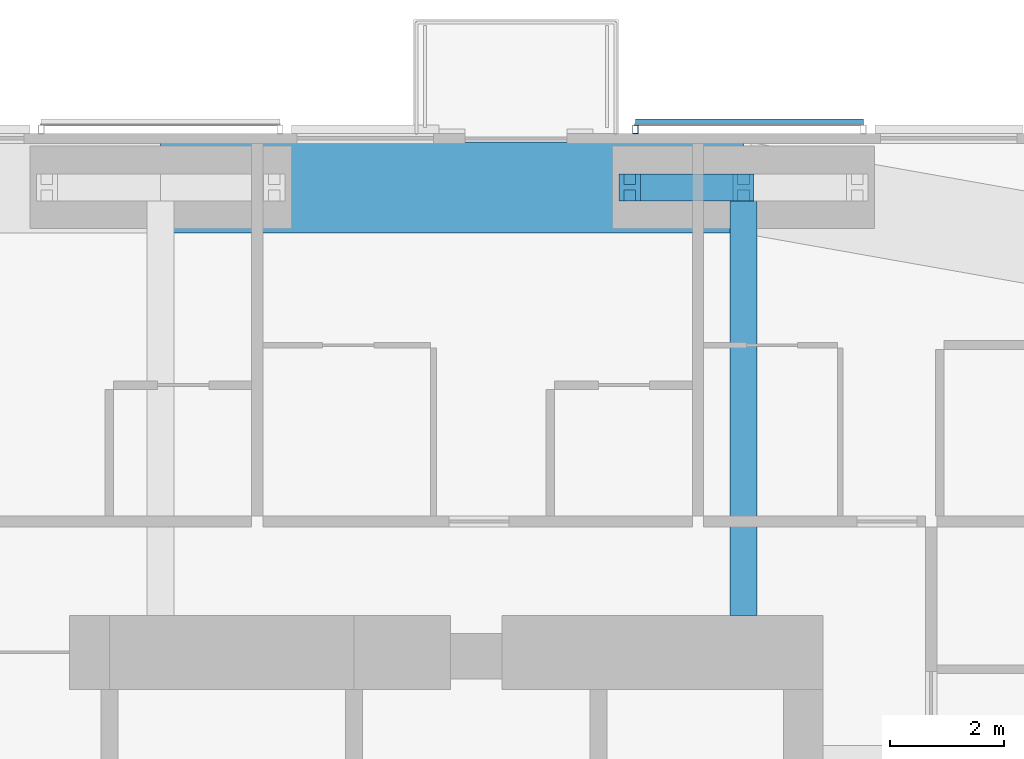
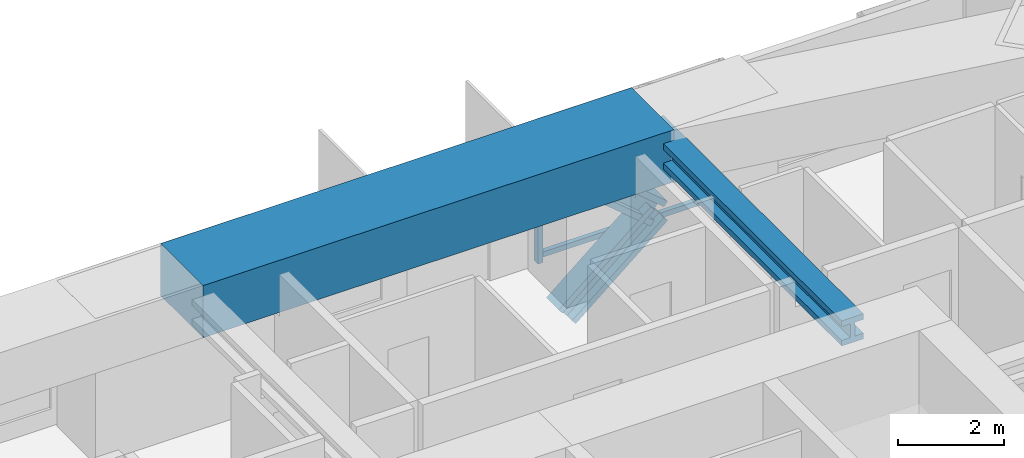
# One storey, part 12 of 23: 4 members, 2 beams, 1 element without a shape of its own.
"""IFC4 building model written with IfcOpenShell, lengths in metres."""

from ifc_helpers import new_model, si_unit, direction, frame, origin, origin_2d, place, context, subcontext, project, spatial, rectangle, hollow_rectangle, i_section, extrude, material, material_profile, profile_set, type_object, element, aggregate, save


model = new_model("IFC4")

# Units and contexts
model_context = context("Model", 3, precision=1e-05, world=origin(), true_north=direction((0.0, 1.0)))
body_context = subcontext(model_context, "Body", "Model", "MODEL_VIEW")
ifc_project = project(units=[si_unit("LENGTHUNIT", "METRE"), si_unit("AREAUNIT", "SQUARE_METRE"), si_unit("VOLUMEUNIT", "CUBIC_METRE"), si_unit("PLANEANGLEUNIT", "RADIAN"), si_unit("MASSUNIT", "GRAM", prefix="KILO")], contexts=[model_context])

# Site, building, storey
site_placement = place(None, origin())
site = spatial("IfcSite", under=ifc_project, at=site_placement, CompositionType="ELEMENT")
building_placement = place(site_placement, origin())
building = spatial("IfcBuilding", under=site, at=building_placement, Name="Jalousie Tower", CompositionType="ELEMENT")
storey_placement = place(building_placement, frame((0.0, 0.0, 157.699951171875)))
storey = spatial("IfcBuildingStorey", under=building, at=storey_placement, Name="L42", CompositionType="ELEMENT", Elevation=157.699951171875)

# Beam
ifc_material_1 = material(Name="Steel ASTM A992 Grade 50", Category="steel")
ifc_material_profile_1 = material_profile(ifc_material_1, i_section(OverallWidth=0.472412109375, OverallDepth=0.5791015625, WebThickness=0.094970703125, FlangeThickness=0.1298828125, at=origin_2d()), Name="W14X808")
ifc_profile_set_1 = profile_set([ifc_material_profile_1], Name="Steel ASTM A992 Grade 50")
beam_type_1 = type_object("IfcBeamType", Name="LEAN COLLECTOR W14X808", PredefinedType="BEAM", material=ifc_profile_set_1)
beam_1_placement = place(storey_placement, frame((42.75, 35.050048828125, 2.820556640625), z_axis=(0.0, -1.0, 0.0), x_axis=(1.0, 0.0, 0.0)))
element("IfcBeam", 1, at=beam_1_placement, inside=storey, type_object=beam_type_1, Name="Lean collector under L43", PredefinedType="BEAM", context=body_context, shape_type="SweptSolid", body=[
    extrude(i_section(OverallWidth=0.472412109375, OverallDepth=0.5791015625, WebThickness=0.094970703125, FlangeThickness=0.1298828125, at=origin_2d()), origin(), (0.0, 0.0, 1.0), 7.525146484375),
])

# Members
ifc_material_2 = material(Name="Steel ASTM A992 Grade 50", Category="steel")
ifc_material_profile_2 = material_profile(ifc_material_2, i_section(OverallWidth=0.472412109375, OverallDepth=0.5791015625, WebThickness=0.094970703125, FlangeThickness=0.1298828125, at=origin_2d()), Name="W14X808")
ifc_profile_set_2 = profile_set([ifc_material_profile_2], Name="Steel ASTM A992 Grade 50")
member_type_1 = type_object("IfcMemberType", Name="PERIMETER BRACE W14X808", PredefinedType="BRACE", material=ifc_profile_set_2)
member_1_placement = place(storey_placement, frame((40.75, 35.050048828125, -0.599853515625), z_axis=(0.766684820047, 0.0, 0.642023665225), x_axis=(0.0, 1.0, 0.0)))
element("IfcMember", 2, at=member_1_placement, inside=storey, type_object=member_type_1, Name="Perimeter brace 09 L42 part 1", PredefinedType="BRACE", context=body_context, shape_type="SweptSolid", body=[
    extrude(i_section(OverallWidth=0.472412109375, OverallDepth=0.5791015625, WebThickness=0.094970703125, FlangeThickness=0.1298828125, at=origin_2d()), origin(), (0.0, 0.0, 1.0), 2.608642578125),
])
member_2_placement = place(storey_placement, frame((42.75, 35.050048828125, 1.074951171875), z_axis=(-0.766638753323, 0.0, 0.642078672674), x_axis=(0.0, -1.0, 0.0)))
element("IfcMember", 3, at=member_2_placement, inside=storey, type_object=member_type_1, Name="Perimeter brace 09 L42 part 4", PredefinedType="BRACE", context=body_context, shape_type="SweptSolid", body=[
    extrude(i_section(OverallWidth=0.472412109375, OverallDepth=0.5791015625, WebThickness=0.094970703125, FlangeThickness=0.1298828125, at=origin_2d()), origin(), (0.0, 0.0, 1.0), 2.60888671875),
])

# Beam
ifc_material_3 = material(Name="Concrete f'c 40 MPa", Category="concrete")
ifc_material_profile_3 = material_profile(ifc_material_3, rectangle(XDim=1.60009765625, YDim=1.199951171875, at=origin_2d()), Name="RC 1600x1200")
ifc_profile_set_3 = profile_set([ifc_material_profile_3], Name="Concrete f'c 40 MPa")
beam_type_2 = type_object("IfcBeamType", Name="RC BEAM 1600x1200", PredefinedType="BEAM", material=ifc_profile_set_3)
beam_2_placement = place(storey_placement, frame((42.75, 35.050048828125, 2.75), z_axis=(-1.0, 0.0, 0.0), x_axis=(0.0, -1.0, 0.0)))
element("IfcBeam", 4, at=beam_2_placement, inside=storey, type_object=beam_type_2, Name="Edge band beam 09-10 under L43", PredefinedType="BEAM", context=body_context, shape_type="SweptSolid", body=[
    extrude(rectangle(XDim=1.60009765625, YDim=1.199951171875, at=origin_2d()), origin(), (0.0, 0.0, 1.0), 10.25),
])

# Curtain wall, members
ifc_material_4 = material(Name="Perforated aluminium sheet", Category="aluminium")
curtain_wall_type = type_object("IfcCurtainWallType", Name="SOLAR SCREEN SS-1", PredefinedType="USERDEFINED", material=ifc_material_4)
curtain_wall_placement = place(storey_placement, origin())
curtain_wall = element("IfcCurtainWall", 5, at=curtain_wall_placement, inside=storey, type_object=curtain_wall_type, Name="Solar screen L42", ObjectType="SOLAR SCREEN SS-1", PredefinedType="USERDEFINED")
ifc_material_5 = material(Name="Steel ASTM A500 Grade C", Category="steel")
ifc_material_profile_4 = material_profile(ifc_material_5, hollow_rectangle(XDim=0.1015625, YDim=0.15234375, WallThickness=0.00634765625, at=origin_2d()), Name="HSS6X4X1/4")
ifc_profile_set_4 = profile_set([ifc_material_profile_4], Name="Steel ASTM A500 Grade C")
member_type_2 = type_object("IfcMemberType", Name="SOLAR SCREEN SS-1 MULLION", PredefinedType="MULLION", material=ifc_profile_set_4)
member_3_placement = place(storey_placement, frame((40.85009765625, 36.0712890625, -0.119873046875), z_axis=(0.0, 0.0, 1.0), x_axis=(-1.0, 0.0, 0.0)))
member_3 = element("IfcMember", 6, at=member_3_placement, type_object=member_type_2, Name="SS1 post 2", PredefinedType="MULLION", context=body_context, shape_type="SweptSolid", body=[
    extrude(hollow_rectangle(XDim=0.1015625, YDim=0.15234375, WallThickness=0.00634765625, at=origin_2d()), origin(), (0.0, 0.0, 1.0), 3.22998046875),
])
ifc_material_6 = material(Name="Extruded aluminium screen rail", Category="aluminium")
ifc_material_profile_5 = material_profile(ifc_material_6, rectangle(XDim=0.1015625, YDim=0.1201171875, at=origin_2d()), Name="RAIL 102x120")
ifc_profile_set_5 = profile_set([ifc_material_profile_5], Name="Extruded aluminium screen rail")
member_type_3 = type_object("IfcMemberType", Name="SOLAR SCREEN SS-1 TRANSOM", PredefinedType="USERDEFINED", material=ifc_profile_set_5)
member_4_placement = place(storey_placement, frame((44.859130859375, 36.1982421875, -0.06005859375), z_axis=(-1.0, 0.0, 0.0), x_axis=(0.0, -1.0, 0.0)))
member_4 = element("IfcMember", 7, at=member_4_placement, type_object=member_type_3, Name="SS1 rail", ObjectType="TRANSOM", PredefinedType="USERDEFINED", context=body_context, shape_type="SweptSolid", body=[
    extrude(rectangle(XDim=0.1015625, YDim=0.1201171875, at=origin_2d()), origin(), (0.0, 0.0, 1.0), 4.009033203125),
])
aggregate(curtain_wall, [member_3, member_4])

save(model, "model.ifc")
